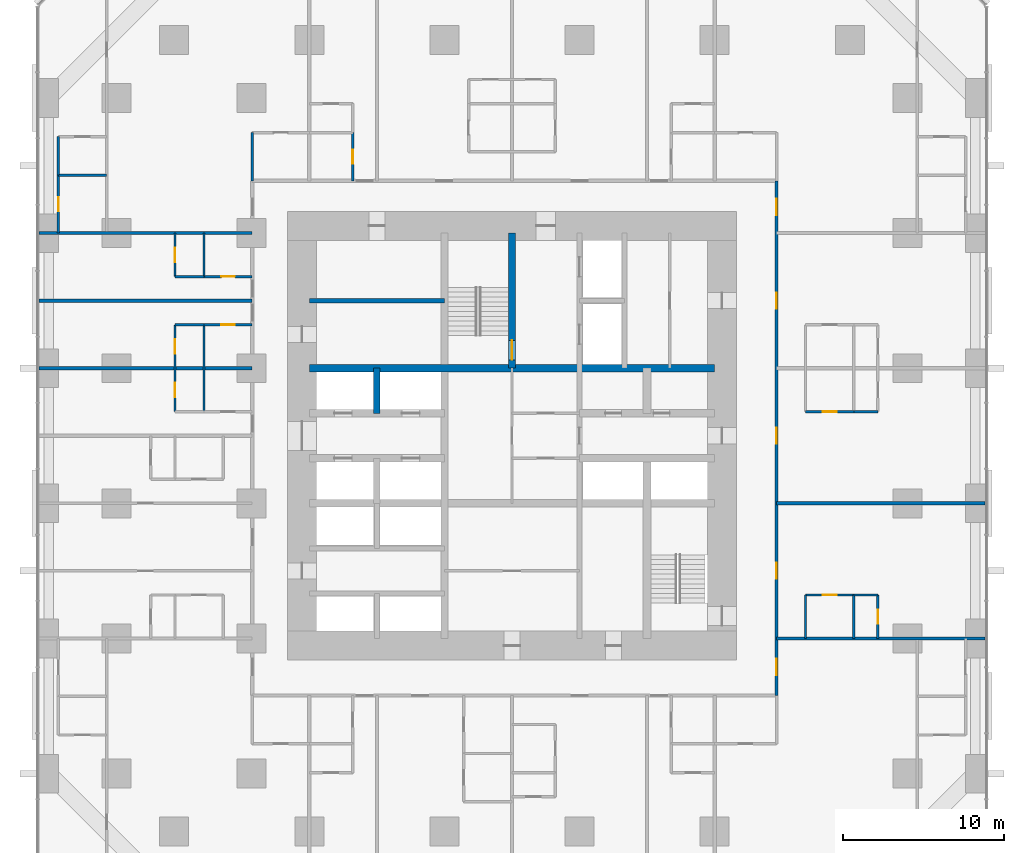
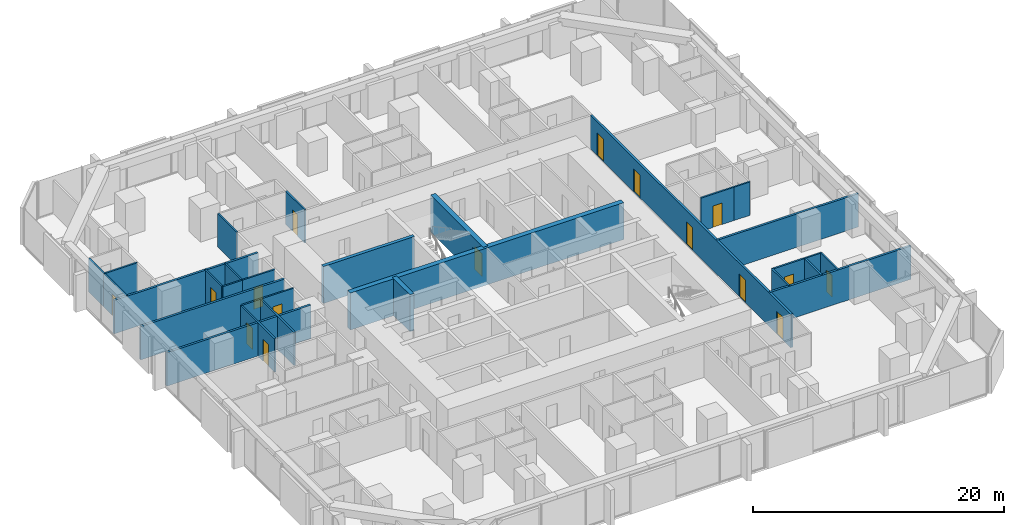
# One storey, part 14 of 17: 30 walls, 16 doors, 16 openings.
"""IFC4 building model written with IfcOpenShell, lengths in metres."""

from ifc_helpers import new_model, si_unit, direction, frame, frame_2d, origin, place, context, subcontext, project, spatial, rectangle, extrude, material, layer, layer_set, type_object, element, fill, save


model = new_model("IFC4")

# Units and contexts
model_context = context("Model", 3, precision=1e-05, world=origin(), true_north=direction((0.0, 1.0)))
body_context = subcontext(model_context, "Body", "Model", "MODEL_VIEW")
ifc_project = project(units=[si_unit("LENGTHUNIT", "METRE"), si_unit("AREAUNIT", "SQUARE_METRE"), si_unit("VOLUMEUNIT", "CUBIC_METRE"), si_unit("PLANEANGLEUNIT", "RADIAN"), si_unit("MASSUNIT", "GRAM", prefix="KILO")], contexts=[model_context])

# Site, building, storey
site_placement = place(None, origin())
site = spatial("IfcSite", under=ifc_project, at=site_placement, CompositionType="ELEMENT")
building_placement = place(site_placement, origin())
building = spatial("IfcBuilding", under=site, at=building_placement, Name="Dunama Terrace Hotel", CompositionType="ELEMENT")
storey_placement = place(building_placement, frame((0.0, 0.0, 37.800048828125)))
storey = spatial("IfcBuildingStorey", under=building, at=storey_placement, Name="L08", CompositionType="ELEMENT", Elevation=37.800048828125)

# Wall, opening, door
ifc_material_1 = material(Name="Gypsum board partition", Category="masonry")
ifc_layer_1 = layer(ifc_material_1, 0.14990234375)
ifc_layer_set_1 = layer_set([ifc_layer_1], Name="Bathroom partition 150")
wall_type_1 = type_object("IfcWallType", Name="Bathroom partition 150", PredefinedType="PARTITIONING", material=ifc_layer_set_1)
wall_1_placement = place(storey_placement, frame((1.199951171875, 42.0, 0.0), z_axis=(0.0, 0.0, 1.0), x_axis=(0.0, 1.0, 0.0)))
wall_1 = element("IfcWall", 1, at=wall_1_placement, inside=storey, type_object=wall_type_1, Name="Bathroom partition 150 L08", PredefinedType="PARTITIONING", context=body_context, shape_type="SweptSolid", body=[
    extrude(rectangle(XDim=3.60009765625, YDim=0.14990234375, at=frame_2d((1.800048828125, 0.0))), origin(), (0.0, 0.0, 1.0), 3.25),
])
opening_1_placement = place(wall_1_placement, frame((1.375, 0.0, 0.0)))
opening_1 = element("IfcOpeningElement", 2, at=opening_1_placement, cuts=wall_1, Name="Opening L07-09-076", PredefinedType="OPENING", context=body_context, shape_type="SweptSolid", body=[
    extrude(rectangle(XDim=0.85009765625, YDim=2.10009765625, at=frame_2d((0.425048828125, 1.050048828125))), frame((0.0, 0.0849609375, 0.0), z_axis=(0.0, -1.0, 0.0), x_axis=(1.0, 0.0, 0.0)), (0.0, 0.0, 1.0), 0.169921875),
])
ifc_material_2 = material(Name="Timber door with steel frame", Category="steel")
door_type_1 = type_object("IfcDoorType", Name="Bathroom door 850", OperationType="SINGLE_SWING_LEFT", PredefinedType="DOOR", material=ifc_material_2)
door_1_placement = place(opening_1_placement, frame((0.85009765625, 0.0, 0.0), z_axis=(0.0, 0.0, 1.0), x_axis=(-1.0, 0.0, 0.0)))
door_1 = element("IfcDoor", 3, at=door_1_placement, inside=storey, type_object=door_type_1, Name="Door to en-suite bathroom L07-09-076, type D2", OperationType="SINGLE_SWING_RIGHT", OverallHeight=2.10009765625, OverallWidth=0.85009765625, PredefinedType="DOOR", context=body_context, shape_type="SweptSolid", body=[
    extrude(rectangle(XDim=0.85009765625, YDim=2.10009765625, at=frame_2d((0.425048828125, 1.050048828125))), frame((0.0, 0.025146484375, 0.0), z_axis=(0.0, -1.0, 0.0), x_axis=(1.0, 0.0, 0.0)), (0.0, 0.0, 1.0), 0.050048828125),
])
fill(opening_1, door_1)

# Wall
wall_2_placement = place(storey_placement, frame((13.25, 45.25, 0.0), z_axis=(0.0, 0.0, 1.0), x_axis=(0.0, 1.0, 0.0)))
element("IfcWall", 4, at=wall_2_placement, inside=storey, type_object=wall_type_1, Name="Bathroom partition 150 L08", PredefinedType="PARTITIONING", context=body_context, shape_type="SweptSolid", body=[
    extrude(rectangle(XDim=3.0, YDim=0.14990234375, at=frame_2d((1.5, 0.0))), origin(), (0.0, 0.0, 1.0), 3.25),
])

# Wall, opening, door
wall_3_placement = place(storey_placement, frame((19.5, 45.25, 0.0), z_axis=(0.0, 0.0, 1.0), x_axis=(0.0, 1.0, 0.0)))
wall_3 = element("IfcWall", 5, at=wall_3_placement, inside=storey, type_object=wall_type_1, Name="Bathroom partition 150 L08", PredefinedType="PARTITIONING", context=body_context, shape_type="SweptSolid", body=[
    extrude(rectangle(XDim=3.0, YDim=0.14990234375, at=frame_2d((1.5, 0.0))), origin(), (0.0, 0.0, 1.0), 3.25),
])
opening_2_placement = place(wall_3_placement, frame((1.074951171875, 0.0, 0.0)))
opening_2 = element("IfcOpeningElement", 6, at=opening_2_placement, cuts=wall_3, Name="Opening L07-09-031", PredefinedType="OPENING", context=body_context, shape_type="SweptSolid", body=[
    extrude(rectangle(XDim=0.85009765625, YDim=2.10009765625, at=frame_2d((0.425048828125, 1.050048828125))), frame((0.0, 0.0849609375, 0.0), z_axis=(0.0, -1.0, 0.0), x_axis=(1.0, 0.0, 0.0)), (0.0, 0.0, 1.0), 0.169921875),
])
door_2_placement = place(opening_2_placement, origin())
door_2 = element("IfcDoor", 7, at=door_2_placement, inside=storey, type_object=door_type_1, Name="Door to en-suite bathroom L07-09-031, type D2", OperationType="SINGLE_SWING_LEFT", OverallHeight=2.10009765625, OverallWidth=0.85009765625, PredefinedType="DOOR", context=body_context, shape_type="SweptSolid", body=[
    extrude(rectangle(XDim=0.85009765625, YDim=2.10009765625, at=frame_2d((0.425048828125, 1.050048828125))), frame((0.0, 0.02490234375, 0.0), z_axis=(0.0, -1.0, 0.0), x_axis=(1.0, 0.0, 0.0)), (0.0, 0.0, 1.0), 0.050048828125),
])
fill(opening_2, door_2)

# Wall
wall_4_placement = place(storey_placement, frame((47.64990234375, 16.800048828125, 0.0), z_axis=(0.0, 0.0, 1.0), x_axis=(0.0, 1.0, 0.0)))
element("IfcWall", 8, at=wall_4_placement, inside=storey, type_object=wall_type_1, Name="Bathroom partition 150 L08", PredefinedType="PARTITIONING", context=body_context, shape_type="SweptSolid", body=[
    extrude(rectangle(XDim=2.699951171875, YDim=0.14990234375, at=frame_2d((1.35009765625, 0.0))), origin(), (0.0, 0.0, 1.0), 3.25),
])

# Wall, opening, door
wall_5_placement = place(storey_placement, frame((47.64990234375, 19.5, 0.0), z_axis=(0.0, 0.0, 1.0), x_axis=(1.0, 0.0, 0.0)))
wall_5 = element("IfcWall", 9, at=wall_5_placement, inside=storey, type_object=wall_type_1, Name="Bathroom partition 150 L08", PredefinedType="PARTITIONING", context=body_context, shape_type="SweptSolid", body=[
    extrude(rectangle(XDim=3.0, YDim=0.14990234375, at=frame_2d((1.5, 0.0))), origin(), (0.0, 0.0, 1.0), 3.25),
])
opening_3_placement = place(wall_5_placement, frame((1.074951171875, 0.0, 0.0)))
opening_3 = element("IfcOpeningElement", 10, at=opening_3_placement, cuts=wall_5, Name="Opening L07-09-022", PredefinedType="OPENING", context=body_context, shape_type="SweptSolid", body=[
    extrude(rectangle(XDim=0.85009765625, YDim=2.10009765625, at=frame_2d((0.425048828125, 1.050048828125))), frame((0.0, 0.0849609375, 0.0), z_axis=(0.0, -1.0, 0.0), x_axis=(1.0, 0.0, 0.0)), (0.0, 0.0, 1.0), 0.169921875),
])
door_3_placement = place(opening_3_placement, frame((0.85009765625, 0.0, 0.0), z_axis=(0.0, 0.0, 1.0), x_axis=(-1.0, 0.0, 0.0)))
door_3 = element("IfcDoor", 11, at=door_3_placement, inside=storey, type_object=door_type_1, Name="Door to en-suite bathroom L07-09-022, type D2", OperationType="SINGLE_SWING_LEFT", OverallHeight=2.10009765625, OverallWidth=0.85009765625, PredefinedType="DOOR", context=body_context, shape_type="SweptSolid", body=[
    extrude(rectangle(XDim=0.85009765625, YDim=2.10009765625, at=frame_2d((0.425048828125, 1.050048828125))), frame((0.0, 0.025146484375, 0.0), z_axis=(0.0, -1.0, 0.0), x_axis=(1.0, 0.0, 0.0)), (0.0, 0.0, 1.0), 0.050048828125),
])
fill(opening_3, door_3)

wall_6_placement = place(storey_placement, frame((47.64990234375, 30.89990234375, 0.0), z_axis=(0.0, 0.0, 1.0), x_axis=(1.0, 0.0, 0.0)))
wall_6 = element("IfcWall", 12, at=wall_6_placement, inside=storey, type_object=wall_type_1, Name="Bathroom partition 150 L08", PredefinedType="PARTITIONING", context=body_context, shape_type="SweptSolid", body=[
    extrude(rectangle(XDim=3.0, YDim=0.14990234375, at=frame_2d((1.5, 0.0))), origin(), (0.0, 0.0, 1.0), 3.25),
])
opening_4_placement = place(wall_6_placement, frame((1.074951171875, 0.0, 0.0)))
opening_4 = element("IfcOpeningElement", 13, at=opening_4_placement, cuts=wall_6, Name="Opening L07-09-025", PredefinedType="OPENING", context=body_context, shape_type="SweptSolid", body=[
    extrude(rectangle(XDim=0.85009765625, YDim=2.10009765625, at=frame_2d((0.425048828125, 1.050048828125))), frame((0.0, 0.0849609375, 0.0), z_axis=(0.0, -1.0, 0.0), x_axis=(1.0, 0.0, 0.0)), (0.0, 0.0, 1.0), 0.169921875),
])
door_4_placement = place(opening_4_placement, origin())
door_4 = element("IfcDoor", 14, at=door_4_placement, inside=storey, type_object=door_type_1, Name="Door to en-suite bathroom L07-09-025, type D2", OperationType="SINGLE_SWING_RIGHT", OverallHeight=2.10009765625, OverallWidth=0.85009765625, PredefinedType="DOOR", context=body_context, shape_type="SweptSolid", body=[
    extrude(rectangle(XDim=0.85009765625, YDim=2.10009765625, at=frame_2d((0.425048828125, 1.050048828125))), frame((0.0, 0.02490234375, 0.0), z_axis=(0.0, -1.0, 0.0), x_axis=(1.0, 0.0, 0.0)), (0.0, 0.0, 1.0), 0.050048828125),
])
fill(opening_4, door_4)

wall_7_placement = place(storey_placement, frame((10.25, 36.300048828125, 0.0), z_axis=(0.0, 0.0, 1.0), x_axis=(1.0, 0.0, 0.0)))
wall_7 = element("IfcWall", 15, at=wall_7_placement, inside=storey, type_object=wall_type_1, Name="Bathroom partition 150 L08", PredefinedType="PARTITIONING", context=body_context, shape_type="SweptSolid", body=[
    extrude(rectangle(XDim=3.0, YDim=0.14990234375, at=frame_2d((1.5, 0.0))), origin(), (0.0, 0.0, 1.0), 3.25),
])
opening_5_placement = place(wall_7_placement, frame((1.074951171875, 0.0, 0.0)))
opening_5 = element("IfcOpeningElement", 16, at=opening_5_placement, cuts=wall_7, Name="Opening L07-09-053", PredefinedType="OPENING", context=body_context, shape_type="SweptSolid", body=[
    extrude(rectangle(XDim=0.85009765625, YDim=2.10009765625, at=frame_2d((0.425048828125, 1.050048828125))), frame((0.0, 0.0849609375, 0.0), z_axis=(0.0, -1.0, 0.0), x_axis=(1.0, 0.0, 0.0)), (0.0, 0.0, 1.0), 0.169921875),
])
door_5_placement = place(opening_5_placement, frame((0.85009765625, 0.0, 0.0), z_axis=(0.0, 0.0, 1.0), x_axis=(-1.0, 0.0, 0.0)))
door_5 = element("IfcDoor", 17, at=door_5_placement, inside=storey, type_object=door_type_1, Name="Door to en-suite bathroom L07-09-053, type D2", OperationType="SINGLE_SWING_LEFT", OverallHeight=2.10009765625, OverallWidth=0.85009765625, PredefinedType="DOOR", context=body_context, shape_type="SweptSolid", body=[
    extrude(rectangle(XDim=0.85009765625, YDim=2.10009765625, at=frame_2d((0.425048828125, 1.050048828125))), frame((0.0, 0.025146484375, 0.0), z_axis=(0.0, -1.0, 0.0), x_axis=(1.0, 0.0, 0.0)), (0.0, 0.0, 1.0), 0.050048828125),
])
fill(opening_5, door_5)

wall_8_placement = place(storey_placement, frame((10.25, 39.300048828125, 0.0), z_axis=(0.0, 0.0, 1.0), x_axis=(1.0, 0.0, 0.0)))
wall_8 = element("IfcWall", 18, at=wall_8_placement, inside=storey, type_object=wall_type_1, Name="Bathroom partition 150 L08", PredefinedType="PARTITIONING", context=body_context, shape_type="SweptSolid", body=[
    extrude(rectangle(XDim=3.0, YDim=0.14990234375, at=frame_2d((1.5, 0.0))), origin(), (0.0, 0.0, 1.0), 3.25),
])
opening_6_placement = place(wall_8_placement, frame((1.074951171875, 0.0, 0.0)))
opening_6 = element("IfcOpeningElement", 19, at=opening_6_placement, cuts=wall_8, Name="Opening L07-09-056", PredefinedType="OPENING", context=body_context, shape_type="SweptSolid", body=[
    extrude(rectangle(XDim=0.85009765625, YDim=2.10009765625, at=frame_2d((0.425048828125, 1.050048828125))), frame((0.0, 0.0849609375, 0.0), z_axis=(0.0, -1.0, 0.0), x_axis=(1.0, 0.0, 0.0)), (0.0, 0.0, 1.0), 0.169921875),
])
door_6_placement = place(opening_6_placement, origin())
door_6 = element("IfcDoor", 20, at=door_6_placement, inside=storey, type_object=door_type_1, Name="Door to en-suite bathroom L07-09-056, type D2", OperationType="SINGLE_SWING_RIGHT", OverallHeight=2.10009765625, OverallWidth=0.85009765625, PredefinedType="DOOR", context=body_context, shape_type="SweptSolid", body=[
    extrude(rectangle(XDim=0.85009765625, YDim=2.10009765625, at=frame_2d((0.425048828125, 1.050048828125))), frame((0.0, 0.02490234375, 0.0), z_axis=(0.0, -1.0, 0.0), x_axis=(1.0, 0.0, 0.0)), (0.0, 0.0, 1.0), 0.050048828125),
])
fill(opening_6, door_6)

# Walls
ifc_material_3 = material(Name="Concrete C50/60", Category="concrete")
ifc_layer_2 = layer(ifc_material_3, 0.300048828125)
ifc_layer_set_2 = layer_set([ifc_layer_2], Name="Core inner wall 300")
wall_type_2 = type_object("IfcWallType", Name="Core inner wall 300", PredefinedType="SHEAR", material=ifc_layer_set_2)
wall_9_placement = place(storey_placement, frame((16.800048828125, 37.800048828125, -0.35009765625), z_axis=(0.0, 0.0, 1.0), x_axis=(1.0, 0.0, 0.0)))
element("IfcWall", 21, at=wall_9_placement, inside=storey, type_object=wall_type_2, Name="Core inner wall 300 L08", PredefinedType="SHEAR", context=body_context, shape_type="SweptSolid", body=[
    extrude(rectangle(XDim=8.39990234375, YDim=0.300048828125, at=frame_2d((4.199951171875, 0.0))), origin(), (0.0, 0.0, 1.0), 3.60009765625),
])
ifc_material_4 = material(Name="Concrete C50/60", Category="concrete")
ifc_layer_3 = layer(ifc_material_4, 0.39990234375)
ifc_layer_set_3 = layer_set([ifc_layer_3], Name="Core inner wall 400")
wall_type_3 = type_object("IfcWallType", Name="Core inner wall 400", PredefinedType="SHEAR", material=ifc_layer_set_3)
wall_10_placement = place(storey_placement, frame((21.0, 30.800048828125, -0.35009765625), z_axis=(0.0, 0.0, 1.0), x_axis=(0.0, 1.0, 0.0)))
element("IfcWall", 22, at=wall_10_placement, inside=storey, type_object=wall_type_3, Name="Core inner wall 400 L08", PredefinedType="SHEAR", context=body_context, shape_type="SweptSolid", body=[
    extrude(rectangle(XDim=2.800048828125, YDim=0.39990234375, at=frame_2d((1.39990234375, 0.0))), origin(), (0.0, 0.0, 1.0), 3.60009765625),
])

# Wall, opening, door
ifc_material_5 = material(Name="Concrete C50/60", Category="concrete")
ifc_layer_4 = layer(ifc_material_5, 0.449951171875)
ifc_layer_set_4 = layer_set([ifc_layer_4], Name="Core inner wall 450")
wall_type_4 = type_object("IfcWallType", Name="Core inner wall 450", PredefinedType="SHEAR", material=ifc_layer_set_4)
wall_11_placement = place(storey_placement, frame((29.39990234375, 33.60009765625, -0.35009765625), z_axis=(0.0, 0.0, 1.0), x_axis=(0.0, 1.0, 0.0)))
wall_11 = element("IfcWall", 23, at=wall_11_placement, inside=storey, type_object=wall_type_4, Name="Core inner wall 450 L08", PredefinedType="SHEAR", context=body_context, shape_type="SweptSolid", body=[
    extrude(rectangle(XDim=8.39990234375, YDim=0.449951171875, at=frame_2d((4.199951171875, 0.0))), origin(), (0.0, 0.0, 1.0), 3.60009765625),
])
opening_7_placement = place(wall_11_placement, frame((0.52490234375, 0.0, 0.35009765625)))
opening_7 = element("IfcOpeningElement", 24, at=opening_7_placement, cuts=wall_11, Name="Opening L07-09-001", PredefinedType="OPENING", context=body_context, shape_type="SweptSolid", body=[
    extrude(rectangle(XDim=1.199951171875, YDim=2.199951171875, at=frame_2d((0.60009765625, 1.10009765625))), frame((0.0, 0.23486328125, 0.0), z_axis=(0.0, -1.0, 0.0), x_axis=(1.0, 0.0, 0.0)), (0.0, 0.0, 1.0), 0.469970703125),
])
ifc_material_6 = material(Name="Timber door with steel frame", Category="steel")
door_type_2 = type_object("IfcDoorType", Name="Stair door 1200", OperationType="SINGLE_SWING_LEFT", PredefinedType="DOOR", material=ifc_material_6)
door_7_placement = place(opening_7_placement, origin())
door_7 = element("IfcDoor", 25, at=door_7_placement, inside=storey, type_object=door_type_2, Name="Stair door ST1 L07-09-001, type D5", OperationType="SINGLE_SWING_LEFT", OverallHeight=2.199951171875, OverallWidth=1.199951171875, PredefinedType="DOOR", context=body_context, shape_type="SweptSolid", body=[
    extrude(rectangle(XDim=1.199951171875, YDim=2.199951171875, at=frame_2d((0.60009765625, 1.10009765625))), frame((0.0, 0.02490234375, 0.0), z_axis=(0.0, -1.0, 0.0), x_axis=(1.0, 0.0, 0.0)), (0.0, 0.0, 1.0), 0.050048828125),
])
fill(opening_7, door_7)

# Wall
wall_12_placement = place(storey_placement, frame((16.800048828125, 33.60009765625, -0.35009765625), z_axis=(0.0, 0.0, 1.0), x_axis=(1.0, 0.0, 0.0)))
element("IfcWall", 26, at=wall_12_placement, inside=storey, type_object=wall_type_4, Name="Core inner wall 450 L08", PredefinedType="SHEAR", context=body_context, shape_type="SweptSolid", body=[
    extrude(rectangle(XDim=25.199951171875, YDim=0.449951171875, at=frame_2d((12.60009765625, 0.0))), origin(), (0.0, 0.0, 1.0), 3.60009765625),
])

# Wall, openings, doors
ifc_material_7 = material(Name="Concrete blockwork", Category="masonry")
ifc_layer_5 = layer(ifc_material_7, 0.199951171875)
ifc_layer_set_5 = layer_set([ifc_layer_5], Name="Corridor partition 200")
wall_type_5 = type_object("IfcWallType", Name="Corridor partition 200", PredefinedType="PARTITIONING", material=ifc_layer_set_5)
wall_13_placement = place(storey_placement, frame((45.85009765625, 45.25, 0.0), z_axis=(0.0, 0.0, 1.0), x_axis=(0.0, -1.0, 0.0)))
wall_13 = element("IfcWall", 27, at=wall_13_placement, inside=storey, type_object=wall_type_5, Name="Corridor partition 200 L08", PredefinedType="PARTITIONING", context=body_context, shape_type="SweptSolid", body=[
    extrude(rectangle(XDim=32.0, YDim=0.199951171875, at=frame_2d((16.0, 0.0))), origin(), (0.0, 0.0, 1.0), 3.25),
])
opening_8_placement = place(wall_13_placement, frame((23.75, 0.0, 0.0)))
opening_8 = element("IfcOpeningElement", 28, at=opening_8_placement, cuts=wall_13, Name="Opening L07-09-021", PredefinedType="OPENING", context=body_context, shape_type="SweptSolid", body=[
    extrude(rectangle(XDim=1.0, YDim=2.199951171875, at=frame_2d((0.5, 1.10009765625))), frame((0.0, 0.10986328125, 0.0), z_axis=(0.0, -1.0, 0.0), x_axis=(1.0, 0.0, 0.0)), (0.0, 0.0, 1.0), 0.219970703125),
])
opening_9_placement = place(wall_13_placement, frame((15.35009765625, 0.0, 0.0)))
opening_9 = element("IfcOpeningElement", 29, at=opening_9_placement, cuts=wall_13, Name="Opening L07-09-024", PredefinedType="OPENING", context=body_context, shape_type="SweptSolid", body=[
    extrude(rectangle(XDim=1.0, YDim=2.199951171875, at=frame_2d((0.5, 1.10009765625))), frame((0.0, 0.10986328125, 0.0), z_axis=(0.0, -1.0, 0.0), x_axis=(1.0, 0.0, 0.0)), (0.0, 0.0, 1.0), 0.219970703125),
])
opening_10_placement = place(wall_13_placement, frame((6.949951171875, 0.0, 0.0)))
opening_10 = element("IfcOpeningElement", 30, at=opening_10_placement, cuts=wall_13, Name="Opening L07-09-027", PredefinedType="OPENING", context=body_context, shape_type="SweptSolid", body=[
    extrude(rectangle(XDim=1.0, YDim=2.199951171875, at=frame_2d((0.5, 1.10009765625))), frame((0.0, 0.10986328125, 0.0), z_axis=(0.0, -1.0, 0.0), x_axis=(1.0, 0.0, 0.0)), (0.0, 0.0, 1.0), 0.219970703125),
])
opening_11_placement = place(wall_13_placement, frame((29.72509765625, 0.0, 0.0)))
opening_11 = element("IfcOpeningElement", 31, at=opening_11_placement, cuts=wall_13, Name="Opening L07-09-063", PredefinedType="OPENING", context=body_context, shape_type="SweptSolid", body=[
    extrude(rectangle(XDim=1.0, YDim=2.199951171875, at=frame_2d((0.5, 1.10009765625))), frame((0.0, 0.10986328125, 0.0), z_axis=(0.0, -1.0, 0.0), x_axis=(1.0, 0.0, 0.0)), (0.0, 0.0, 1.0), 0.219970703125),
])
opening_12_placement = place(wall_13_placement, frame((1.125, 0.0, 0.0)))
opening_12 = element("IfcOpeningElement", 32, at=opening_12_placement, cuts=wall_13, Name="Opening L07-09-068", PredefinedType="OPENING", context=body_context, shape_type="SweptSolid", body=[
    extrude(rectangle(XDim=1.0, YDim=2.199951171875, at=frame_2d((0.5, 1.10009765625))), frame((0.0, 0.10986328125, 0.0), z_axis=(0.0, -1.0, 0.0), x_axis=(1.0, 0.0, 0.0)), (0.0, 0.0, 1.0), 0.219970703125),
])
ifc_material_8 = material(Name="Timber door with steel frame", Category="steel")
door_type_3 = type_object("IfcDoorType", Name="Guest room door 1000", OperationType="SINGLE_SWING_LEFT", PredefinedType="DOOR", material=ifc_material_8)
door_8_placement = place(opening_8_placement, origin())
door_8 = element("IfcDoor", 33, at=door_8_placement, inside=storey, type_object=door_type_3, Name="Door to junior suite L07-09-021, type D1", OperationType="SINGLE_SWING_RIGHT", OverallHeight=2.199951171875, OverallWidth=1.0, PredefinedType="DOOR", context=body_context, shape_type="SweptSolid", body=[
    extrude(rectangle(XDim=1.0, YDim=2.199951171875, at=frame_2d((0.5, 1.10009765625))), frame((0.0, 0.02490234375, 0.0), z_axis=(0.0, -1.0, 0.0), x_axis=(1.0, 0.0, 0.0)), (0.0, 0.0, 1.0), 0.050048828125),
])
fill(opening_8, door_8)
door_9_placement = place(opening_9_placement, origin())
door_9 = element("IfcDoor", 34, at=door_9_placement, inside=storey, type_object=door_type_3, Name="Door to junior suite L07-09-024, type D1", OperationType="SINGLE_SWING_LEFT", OverallHeight=2.199951171875, OverallWidth=1.0, PredefinedType="DOOR", context=body_context, shape_type="SweptSolid", body=[
    extrude(rectangle(XDim=1.0, YDim=2.199951171875, at=frame_2d((0.5, 1.10009765625))), frame((0.0, 0.02490234375, 0.0), z_axis=(0.0, -1.0, 0.0), x_axis=(1.0, 0.0, 0.0)), (0.0, 0.0, 1.0), 0.050048828125),
])
fill(opening_9, door_9)
door_10_placement = place(opening_10_placement, origin())
door_10 = element("IfcDoor", 35, at=door_10_placement, inside=storey, type_object=door_type_3, Name="Door to junior suite L07-09-027, type D1", OperationType="SINGLE_SWING_RIGHT", OverallHeight=2.199951171875, OverallWidth=1.0, PredefinedType="DOOR", context=body_context, shape_type="SweptSolid", body=[
    extrude(rectangle(XDim=1.0, YDim=2.199951171875, at=frame_2d((0.5, 1.10009765625))), frame((0.0, 0.02490234375, 0.0), z_axis=(0.0, -1.0, 0.0), x_axis=(1.0, 0.0, 0.0)), (0.0, 0.0, 1.0), 0.050048828125),
])
fill(opening_10, door_10)
door_11_placement = place(opening_11_placement, origin())
door_11 = element("IfcDoor", 36, at=door_11_placement, inside=storey, type_object=door_type_3, Name="Door to corner suite living room L07-09-063, type D1", OperationType="SINGLE_SWING_RIGHT", OverallHeight=2.199951171875, OverallWidth=1.0, PredefinedType="DOOR", context=body_context, shape_type="SweptSolid", body=[
    extrude(rectangle(XDim=1.0, YDim=2.199951171875, at=frame_2d((0.5, 1.10009765625))), frame((0.0, 0.02490234375, 0.0), z_axis=(0.0, -1.0, 0.0), x_axis=(1.0, 0.0, 0.0)), (0.0, 0.0, 1.0), 0.050048828125),
])
fill(opening_11, door_11)
door_12_placement = place(opening_12_placement, origin())
door_12 = element("IfcDoor", 37, at=door_12_placement, inside=storey, type_object=door_type_3, Name="Door to corner suite living room L07-09-068, type D1", OperationType="SINGLE_SWING_LEFT", OverallHeight=2.199951171875, OverallWidth=1.0, PredefinedType="DOOR", context=body_context, shape_type="SweptSolid", body=[
    extrude(rectangle(XDim=1.0, YDim=2.199951171875, at=frame_2d((0.5, 1.10009765625))), frame((0.0, 0.02490234375, 0.0), z_axis=(0.0, -1.0, 0.0), x_axis=(1.0, 0.0, 0.0)), (0.0, 0.0, 1.0), 0.050048828125),
])
fill(opening_12, door_12)

# Walls
ifc_material_9 = material(Name="Concrete blockwork", Category="masonry")
ifc_layer_6 = layer(ifc_material_9, 0.199951171875)
ifc_layer_set_6 = layer_set([ifc_layer_6], Name="Party wall 200")
wall_type_6 = type_object("IfcWallType", Name="Party wall 200", PredefinedType="PARTITIONING", material=ifc_layer_set_6)
for number, where, z_axis, x_axis, name in (
    (38, (45.85009765625, 16.800048828125, 0.0), (0.0, 0.0, 1.0), (1.0, 0.0, 0.0), "Party wall 200 L08"),
    (39, (45.85009765625, 25.199951171875, 0.0), (0.0, 0.0, 1.0), (1.0, 0.0, 0.0), "Party wall 200 L08"),
):
    element("IfcWall", number, at=place(storey_placement, frame(where, z_axis=z_axis, x_axis=x_axis)), inside=storey, type_object=wall_type_6, Name=name, PredefinedType="PARTITIONING", context=body_context, shape_type="SweptSolid", body=[
        extrude(rectangle(XDim=12.9580078125, YDim=0.199951171875, at=frame_2d((6.47900390625, 0.0))), origin(), (0.0, 0.0, 1.0), 3.25),
    ])
for number, where, z_axis, x_axis, name in (
    (40, (-0.008056640625, 33.60009765625, 0.0), (0.0, 0.0, 1.0), (1.0, 0.0, 0.0), "Party wall 200 L08"),
    (41, (-0.008056640625, 37.800048828125, 0.0), (0.0, 0.0, 1.0), (1.0, 0.0, 0.0), "Party wall 200 L08"),
    (42, (-0.008056640625, 42.0, 0.0), (0.0, 0.0, 1.0), (1.0, 0.0, 0.0), "Party wall 200 L08"),
):
    element("IfcWall", number, at=place(storey_placement, frame(where, z_axis=z_axis, x_axis=x_axis)), inside=storey, type_object=wall_type_6, Name=name, PredefinedType="PARTITIONING", context=body_context, shape_type="SweptSolid", body=[
        extrude(rectangle(XDim=13.258056640625, YDim=0.199951171875, at=frame_2d((6.62890625, 0.0))), origin(), (0.0, 0.0, 1.0), 3.25),
    ])
ifc_material_10 = material(Name="Gypsum board partition", Category="masonry")
ifc_layer_7 = layer(ifc_material_10, 0.14990234375)
ifc_layer_set_7 = layer_set([ifc_layer_7], Name="Room partition 150")
wall_type_7 = type_object("IfcWallType", Name="Room partition 150", PredefinedType="PARTITIONING", material=ifc_layer_set_7)
wall_14_placement = place(storey_placement, frame((1.199951171875, 45.60009765625, 0.0), z_axis=(0.0, 0.0, 1.0), x_axis=(0.0, 1.0, 0.0)))
element("IfcWall", 43, at=wall_14_placement, inside=storey, type_object=wall_type_7, Name="Room partition 150 L08", PredefinedType="PARTITIONING", context=body_context, shape_type="SweptSolid", body=[
    extrude(rectangle(XDim=2.39990234375, YDim=0.14990234375, at=frame_2d((1.199951171875, 0.0))), origin(), (0.0, 0.0, 1.0), 3.25),
])

# Wall, openings, doors
wall_15_placement = place(storey_placement, frame((8.449951171875, 30.89990234375, 0.0), z_axis=(0.0, 0.0, 1.0), x_axis=(0.0, 1.0, 0.0)))
wall_15 = element("IfcWall", 44, at=wall_15_placement, inside=storey, type_object=wall_type_7, Name="Room partition 150 L08", PredefinedType="PARTITIONING", context=body_context, shape_type="SweptSolid", body=[
    extrude(rectangle(XDim=5.400146484375, YDim=0.14990234375, at=frame_2d((2.7001953125, 0.0))), origin(), (0.0, 0.0, 1.0), 3.25),
])
opening_13_placement = place(wall_15_placement, frame((0.89990234375, 0.0, 0.0)))
opening_13 = element("IfcOpeningElement", 45, at=opening_13_placement, cuts=wall_15, Name="Opening L07-09-051", PredefinedType="OPENING", context=body_context, shape_type="SweptSolid", body=[
    extrude(rectangle(XDim=0.89990234375, YDim=2.10009765625, at=frame_2d((0.449951171875, 1.050048828125))), frame((0.0, 0.0849609375, 0.0), z_axis=(0.0, -1.0, 0.0), x_axis=(1.0, 0.0, 0.0)), (0.0, 0.0, 1.0), 0.169921875),
])
opening_14_placement = place(wall_15_placement, frame((3.60009765625, 0.0, 0.0)))
opening_14 = element("IfcOpeningElement", 46, at=opening_14_placement, cuts=wall_15, Name="Opening L07-09-054", PredefinedType="OPENING", context=body_context, shape_type="SweptSolid", body=[
    extrude(rectangle(XDim=0.89990234375, YDim=2.10009765625, at=frame_2d((0.449951171875, 1.050048828125))), frame((0.0, 0.0849609375, 0.0), z_axis=(0.0, -1.0, 0.0), x_axis=(1.0, 0.0, 0.0)), (0.0, 0.0, 1.0), 0.169921875),
])
ifc_material_11 = material(Name="Timber door with steel frame", Category="steel")
door_type_4 = type_object("IfcDoorType", Name="Suite internal door 900", OperationType="SINGLE_SWING_LEFT", PredefinedType="DOOR", material=ifc_material_11)
door_13_placement = place(opening_13_placement, frame((0.89990234375, 0.0, 0.0), z_axis=(0.0, 0.0, 1.0), x_axis=(-1.0, 0.0, 0.0)))
door_13 = element("IfcDoor", 47, at=door_13_placement, inside=storey, type_object=door_type_4, Name="Door to walk-in wardrobe L07-09-051, type D16", OperationType="SINGLE_SWING_LEFT", OverallHeight=2.10009765625, OverallWidth=0.89990234375, PredefinedType="DOOR", context=body_context, shape_type="SweptSolid", body=[
    extrude(rectangle(XDim=0.89990234375, YDim=2.10009765625, at=frame_2d((0.449951171875, 1.050048828125))), frame((0.0, 0.025146484375, 0.0), z_axis=(0.0, -1.0, 0.0), x_axis=(1.0, 0.0, 0.0)), (0.0, 0.0, 1.0), 0.050048828125),
])
fill(opening_13, door_13)
door_14_placement = place(opening_14_placement, frame((0.89990234375, 0.0, 0.0), z_axis=(0.0, 0.0, 1.0), x_axis=(-1.0, 0.0, 0.0)))
door_14 = element("IfcDoor", 48, at=door_14_placement, inside=storey, type_object=door_type_4, Name="Door to walk-in wardrobe L07-09-054, type D16", OperationType="SINGLE_SWING_RIGHT", OverallHeight=2.10009765625, OverallWidth=0.89990234375, PredefinedType="DOOR", context=body_context, shape_type="SweptSolid", body=[
    extrude(rectangle(XDim=0.89990234375, YDim=2.10009765625, at=frame_2d((0.449951171875, 1.050048828125))), frame((0.0, 0.025146484375, 0.0), z_axis=(0.0, -1.0, 0.0), x_axis=(1.0, 0.0, 0.0)), (0.0, 0.0, 1.0), 0.050048828125),
])
fill(opening_14, door_14)

# Wall, opening, door
wall_16_placement = place(storey_placement, frame((8.449951171875, 39.300048828125, 0.0), z_axis=(0.0, 0.0, 1.0), x_axis=(0.0, 1.0, 0.0)))
wall_16 = element("IfcWall", 49, at=wall_16_placement, inside=storey, type_object=wall_type_7, Name="Room partition 150 L08", PredefinedType="PARTITIONING", context=body_context, shape_type="SweptSolid", body=[
    extrude(rectangle(XDim=2.699951171875, YDim=0.14990234375, at=frame_2d((1.35009765625, 0.0))), origin(), (0.0, 0.0, 1.0), 3.25),
])
opening_15_placement = place(wall_16_placement, frame((0.89990234375, 0.0, 0.0)))
opening_15 = element("IfcOpeningElement", 50, at=opening_15_placement, cuts=wall_16, Name="Opening L07-09-057", PredefinedType="OPENING", context=body_context, shape_type="SweptSolid", body=[
    extrude(rectangle(XDim=0.89990234375, YDim=2.10009765625, at=frame_2d((0.449951171875, 1.050048828125))), frame((0.0, 0.0849609375, 0.0), z_axis=(0.0, -1.0, 0.0), x_axis=(1.0, 0.0, 0.0)), (0.0, 0.0, 1.0), 0.169921875),
])
door_15_placement = place(opening_15_placement, frame((0.89990234375, 0.0, 0.0), z_axis=(0.0, 0.0, 1.0), x_axis=(-1.0, 0.0, 0.0)))
door_15 = element("IfcDoor", 51, at=door_15_placement, inside=storey, type_object=door_type_4, Name="Door to walk-in wardrobe L07-09-057, type D16", OperationType="SINGLE_SWING_LEFT", OverallHeight=2.10009765625, OverallWidth=0.89990234375, PredefinedType="DOOR", context=body_context, shape_type="SweptSolid", body=[
    extrude(rectangle(XDim=0.89990234375, YDim=2.10009765625, at=frame_2d((0.449951171875, 1.050048828125))), frame((0.0, 0.025146484375, 0.0), z_axis=(0.0, -1.0, 0.0), x_axis=(1.0, 0.0, 0.0)), (0.0, 0.0, 1.0), 0.050048828125),
])
fill(opening_15, door_15)

# Walls
wall_17_placement = place(storey_placement, frame((10.25, 30.89990234375, 0.0), z_axis=(0.0, 0.0, 1.0), x_axis=(0.0, 1.0, 0.0)))
element("IfcWall", 52, at=wall_17_placement, inside=storey, type_object=wall_type_7, Name="Room partition 150 L08", PredefinedType="PARTITIONING", context=body_context, shape_type="SweptSolid", body=[
    extrude(rectangle(XDim=5.400146484375, YDim=0.14990234375, at=frame_2d((2.7001953125, 0.0))), origin(), (0.0, 0.0, 1.0), 3.25),
])
for number, where, z_axis, x_axis, name in (
    (53, (10.25, 39.300048828125, 0.0), (0.0, 0.0, 1.0), (0.0, 1.0, 0.0), "Room partition 150 L08"),
    (54, (50.64990234375, 16.800048828125, 0.0), (0.0, 0.0, 1.0), (0.0, 1.0, 0.0), "Room partition 150 L08"),
):
    element("IfcWall", number, at=place(storey_placement, frame(where, z_axis=z_axis, x_axis=x_axis)), inside=storey, type_object=wall_type_7, Name=name, PredefinedType="PARTITIONING", context=body_context, shape_type="SweptSolid", body=[
        extrude(rectangle(XDim=2.699951171875, YDim=0.14990234375, at=frame_2d((1.35009765625, 0.0))), origin(), (0.0, 0.0, 1.0), 3.25),
    ])

# Wall, opening, door
wall_18_placement = place(storey_placement, frame((52.14990234375, 16.800048828125, 0.0), z_axis=(0.0, 0.0, 1.0), x_axis=(0.0, 1.0, 0.0)))
wall_18 = element("IfcWall", 55, at=wall_18_placement, inside=storey, type_object=wall_type_7, Name="Room partition 150 L08", PredefinedType="PARTITIONING", context=body_context, shape_type="SweptSolid", body=[
    extrude(rectangle(XDim=2.699951171875, YDim=0.14990234375, at=frame_2d((1.35009765625, 0.0))), origin(), (0.0, 0.0, 1.0), 3.25),
])
opening_16_placement = place(wall_18_placement, frame((0.89990234375, 0.0, 0.0)))
opening_16 = element("IfcOpeningElement", 56, at=opening_16_placement, cuts=wall_18, Name="Opening L07-09-023", PredefinedType="OPENING", context=body_context, shape_type="SweptSolid", body=[
    extrude(rectangle(XDim=0.89990234375, YDim=2.10009765625, at=frame_2d((0.449951171875, 1.050048828125))), frame((0.0, 0.0849609375, 0.0), z_axis=(0.0, -1.0, 0.0), x_axis=(1.0, 0.0, 0.0)), (0.0, 0.0, 1.0), 0.169921875),
])
door_16_placement = place(opening_16_placement, origin())
door_16 = element("IfcDoor", 57, at=door_16_placement, inside=storey, type_object=door_type_4, Name="Door to walk-in wardrobe L07-09-023, type D16", OperationType="SINGLE_SWING_LEFT", OverallHeight=2.10009765625, OverallWidth=0.89990234375, PredefinedType="DOOR", context=body_context, shape_type="SweptSolid", body=[
    extrude(rectangle(XDim=0.89990234375, YDim=2.10009765625, at=frame_2d((0.449951171875, 1.050048828125))), frame((0.0, 0.02490234375, 0.0), z_axis=(0.0, -1.0, 0.0), x_axis=(1.0, 0.0, 0.0)), (0.0, 0.0, 1.0), 0.050048828125),
])
fill(opening_16, door_16)

# Walls
for number, where, z_axis, x_axis, name in (
    (58, (50.64990234375, 19.5, 0.0), (0.0, 0.0, 1.0), (1.0, 0.0, 0.0), "Room partition 150 L08"),
    (59, (50.64990234375, 30.89990234375, 0.0), (0.0, 0.0, 1.0), (1.0, 0.0, 0.0), "Room partition 150 L08"),
):
    element("IfcWall", number, at=place(storey_placement, frame(where, z_axis=z_axis, x_axis=x_axis)), inside=storey, type_object=wall_type_7, Name=name, PredefinedType="PARTITIONING", context=body_context, shape_type="SweptSolid", body=[
        extrude(rectangle(XDim=1.5, YDim=0.14990234375, at=frame_2d((0.75, 0.0))), origin(), (0.0, 0.0, 1.0), 3.25),
    ])
for number, where, z_axis, x_axis, name in (
    (60, (8.449951171875, 36.300048828125, 0.0), (0.0, 0.0, 1.0), (1.0, 0.0, 0.0), "Room partition 150 L08"),
    (61, (8.449951171875, 39.300048828125, 0.0), (0.0, 0.0, 1.0), (1.0, 0.0, 0.0), "Room partition 150 L08"),
):
    element("IfcWall", number, at=place(storey_placement, frame(where, z_axis=z_axis, x_axis=x_axis)), inside=storey, type_object=wall_type_7, Name=name, PredefinedType="PARTITIONING", context=body_context, shape_type="SweptSolid", body=[
        extrude(rectangle(XDim=1.800048828125, YDim=0.14990234375, at=frame_2d((0.89990234375, 0.0))), origin(), (0.0, 0.0, 1.0), 3.25),
    ])
wall_19_placement = place(storey_placement, frame((1.199951171875, 45.60009765625, 0.0), z_axis=(0.0, 0.0, 1.0), x_axis=(1.0, 0.0, 0.0)))
element("IfcWall", 62, at=wall_19_placement, inside=storey, type_object=wall_type_7, Name="Room partition 150 L08", PredefinedType="PARTITIONING", context=body_context, shape_type="SweptSolid", body=[
    extrude(rectangle(XDim=3.0, YDim=0.14990234375, at=frame_2d((1.5, 0.0))), origin(), (0.0, 0.0, 1.0), 3.25),
])

save(model, "model.ifc")
